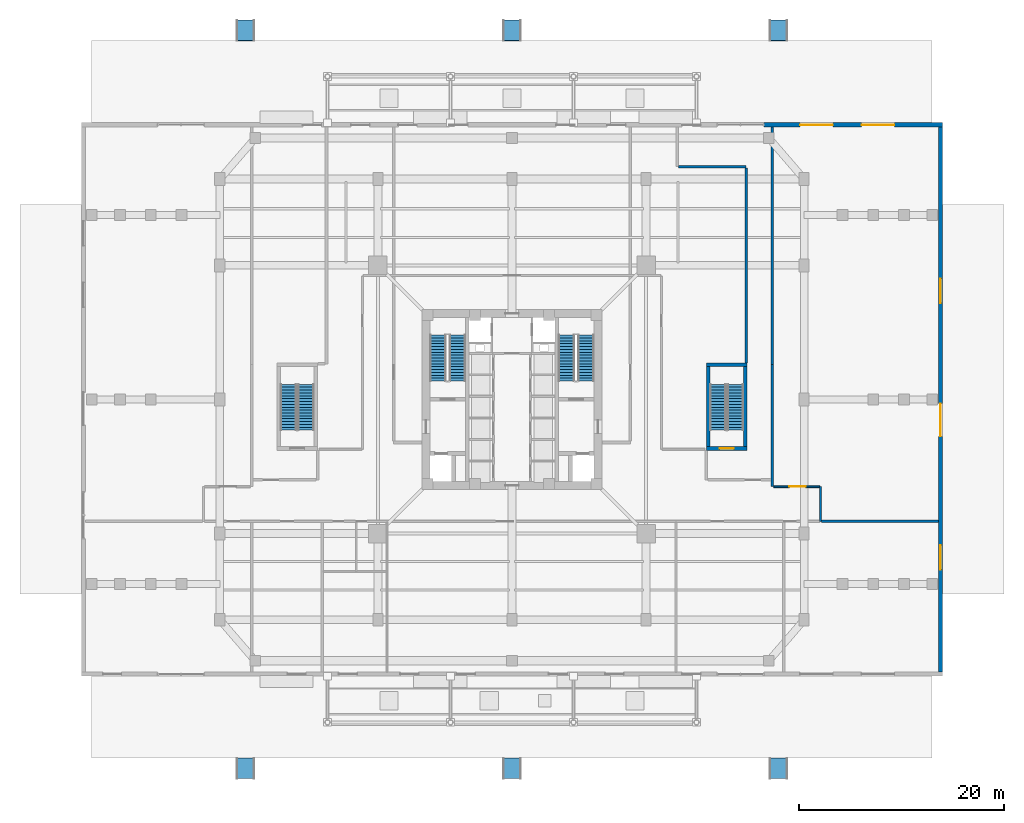
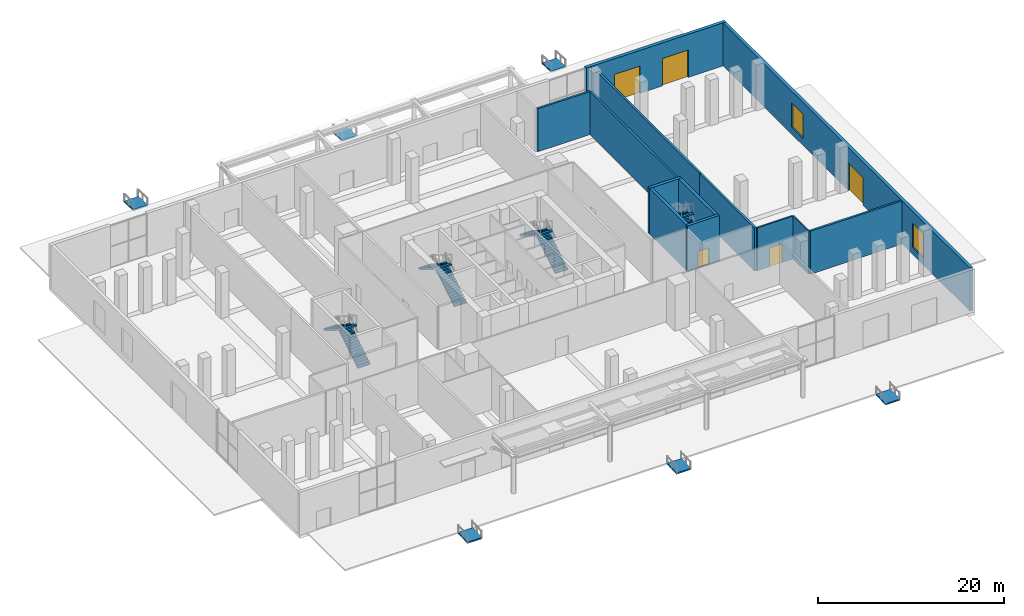
# One storey, part 18 of 25: 13 walls, 8 stair flights, 6 ramp flights, 5 doors, 2 windows, 7 openings, 10 elements without a shape of their own.
"""IFC4 building model written with IfcOpenShell, lengths in metres."""

from ifc_helpers import new_model, si_unit, direction, frame, frame_2d, origin, place, context, subcontext, project, spatial, polyline, rectangle, outline, extrude, source, transform, mapped, material, layer, layer_set, type_object, element, fill, aggregate, save


model = new_model("IFC4")

# Units and contexts
model_context = context("Model", 3, precision=1e-05, world=origin(), true_north=direction((0.0, 1.0)))
body_context = subcontext(model_context, "Body", "Model", "MODEL_VIEW")
ifc_project = project(units=[si_unit("LENGTHUNIT", "METRE"), si_unit("AREAUNIT", "SQUARE_METRE"), si_unit("VOLUMEUNIT", "CUBIC_METRE"), si_unit("PLANEANGLEUNIT", "RADIAN"), si_unit("MASSUNIT", "GRAM", prefix="KILO"), si_unit("THERMODYNAMICTEMPERATUREUNIT", "KELVIN")], contexts=[model_context])

# Site, building, storey
site_placement = place(None, origin())
site = spatial("IfcSite", under=ifc_project, at=site_placement, CompositionType="ELEMENT")
building_placement = place(site_placement, origin())
building = spatial("IfcBuilding", under=site, at=building_placement, Name="Kosmvard Interchange Tower", CompositionType="ELEMENT")
storey_placement = place(building_placement, origin())
storey = spatial("IfcBuildingStorey", under=building, at=storey_placement, Name="L00", CompositionType="ELEMENT", Elevation=0.0)

# Wall, opening, door
ifc_material_1 = material(Name="Fire-rated gypsum partition system")
ifc_layer_1 = layer(ifc_material_1, 0.179931640625, Name="Fire-rated gypsum partition system")
ifc_layer_set_1 = layer_set([ifc_layer_1], Name="Fire-rated gypsum partition system")
wall_type_1 = type_object("IfcWallType", Name="Corridor & Hotel Compartment Partition 180", PredefinedType="PARTITIONING", material=ifc_layer_set_1)
wall_1_placement = place(storey_placement, frame((25.550048828125, -8.510009765625, 0.0), z_axis=(0.0, 0.0, 1.0), x_axis=(1.0, 0.0, 0.0)))
wall_1 = element("IfcWall", 1, at=wall_1_placement, inside=storey, type_object=wall_type_1, Name="L00 Partition W-CNEL", PredefinedType="PARTITIONING", context=body_context, shape_type="SweptSolid", body=[
    extrude(rectangle(XDim=4.449951171875, YDim=0.179931640625, at=frame_2d((2.22509765625, 0.0))), origin(), (0.0, 0.0, 1.0), 5.659912109375),
])
opening_1_placement = place(wall_1_placement, frame((1.5, 0.0, 0.0)))
opening_1 = element("IfcOpeningElement", 2, at=opening_1_placement, cuts=wall_1, Name="Opening L00-D10", PredefinedType="OPENING", context=body_context, shape_type="SweptSolid", body=[
    extrude(rectangle(XDim=1.60009765625, YDim=2.5, at=frame_2d((0.800048828125, 1.25))), frame((0.0, 0.10009765625, 0.0), z_axis=(0.0, -1.0, 0.0), x_axis=(1.0, 0.0, 0.0)), (0.0, 0.0, 1.0), 0.199951171875),
])
ifc_material_2 = material(Name="Anodised aluminium and safety glass", Category="aluminium")
door_type_1 = type_object("IfcDoorType", Name="Concourse Entrance Glazed Door 1600x2500", OperationType="NOTDEFINED", PredefinedType="DOOR", material=ifc_material_2)
shared_shape_1 = source(origin(), body_context, "Body", "SweptSolid", [
    extrude(rectangle(XDim=1.60009765625, YDim=2.5, at=frame_2d((0.800048828125, 1.25))), frame((0.0, 0.02490234375, 0.0), z_axis=(0.0, -1.0, 0.0), x_axis=(1.0, 0.0, 0.0)), (0.0, 0.0, 1.0), 0.050048828125),
])
door_1_placement = place(opening_1_placement, origin())
door_1 = element("IfcDoor", 3, at=door_1_placement, inside=storey, type_object=door_type_1, Name="L00 Interior Door 10", OperationType="SINGLE_SWING_LEFT", OverallHeight=2.5, OverallWidth=1.60009765625, PredefinedType="DOOR", context=body_context, shape_type="MappedRepresentation", body=[
    mapped(shared_shape_1, transform((0.0, 0.0, 0.0), scale=1.0)),
])
fill(opening_1, door_1)

# Walls
wall_2_placement = place(storey_placement, frame((30.090087890625, -11.889892578125, 0.0), z_axis=(0.0, 0.0, 1.0), x_axis=(0.0, 1.0, 0.0)))
element("IfcWall", 4, at=wall_2_placement, inside=storey, type_object=wall_type_1, Name="L00 Partition W-CEE", PredefinedType="PARTITIONING", context=body_context, shape_type="SweptSolid", body=[
    extrude(rectangle(XDim=3.3798828125, YDim=0.179931640625, at=frame_2d((1.68994140625, 0.0))), origin(), (0.0, 0.0, 1.0), 5.659912109375),
])
ifc_material_3 = material(Name="Concrete blockwork masonry", Category="masonry")
ifc_layer_2 = layer(ifc_material_3, 0.25, Name="Concrete blockwork masonry")
ifc_layer_set_2 = layer_set([ifc_layer_2], Name="Concrete blockwork masonry")
wall_type_2 = type_object("IfcWallType", Name="Exit Passage & Firefighting Lobby Wall 250", PredefinedType="PARTITIONING", material=ifc_layer_set_2)
wall_3_placement = place(storey_placement, frame((25.39990234375, -8.510009765625, 0.0), z_axis=(0.0, 0.0, 1.0), x_axis=(0.0, 1.0, 0.0)))
element("IfcWall", 5, at=wall_3_placement, inside=storey, type_object=wall_type_2, Name="L00 Partition W-RES", PredefinedType="PARTITIONING", context=body_context, shape_type="SweptSolid", body=[
    extrude(rectangle(XDim=11.909912109375, YDim=0.25, at=frame_2d((5.955078125, 0.0))), origin(), (0.0, 0.0, 1.0), 5.659912109375),
])
wall_4_placement = place(storey_placement, frame((25.39990234375, 3.39990234375, 0.0), z_axis=(0.0, 0.0, 1.0), x_axis=(0.0, 1.0, 0.0)))
element("IfcWall", 6, at=wall_4_placement, inside=storey, type_object=wall_type_2, Name="L00 Partition W-REN", PredefinedType="PARTITIONING", context=body_context, shape_type="SweptSolid", body=[
    extrude(rectangle(XDim=23.197998046875, YDim=0.25, at=frame_2d((11.59912109375, 0.0))), origin(), (0.0, 0.0, 1.0), 5.659912109375),
])
wall_5_placement = place(storey_placement, frame((22.840087890625, 3.580078125, 0.0), z_axis=(0.0, 0.0, 1.0), x_axis=(0.0, 1.0, 0.0)))
element("IfcWall", 7, at=wall_5_placement, inside=storey, type_object=wall_type_2, Name="L00 Partition EP4E", PredefinedType="PARTITIONING", context=body_context, shape_type="SweptSolid", body=[
    extrude(rectangle(XDim=19.0, YDim=0.25, at=frame_2d((9.5, 0.0))), origin(), (0.0, 0.0, 1.0), 5.659912109375),
])
wall_6_placement = place(storey_placement, frame((16.25, 22.719970703125, 0.0), z_axis=(0.0, 0.0, 1.0), x_axis=(1.0, 0.0, 0.0)))
element("IfcWall", 8, at=wall_6_placement, inside=storey, type_object=wall_type_2, Name="L00 Partition EP4B1", PredefinedType="PARTITIONING", context=body_context, shape_type="SweptSolid", body=[
    extrude(rectangle(XDim=6.590087890625, YDim=0.25, at=frame_2d((3.294921875, 0.0))), origin(), (0.0, 0.0, 1.0), 5.659912109375),
])
wall_7_placement = place(storey_placement, frame((30.179931640625, -11.889892578125, 0.0), z_axis=(0.0, 0.0, 1.0), x_axis=(1.0, 0.0, 0.0)))
element("IfcWall", 9, at=wall_7_placement, inside=storey, type_object=wall_type_2, Name="L00 Partition W-RET", PredefinedType="PARTITIONING", context=body_context, shape_type="SweptSolid", body=[
    extrude(rectangle(XDim=11.41796875, YDim=0.25, at=frame_2d((5.708984375, 0.0))), origin(), (0.0, 0.0, 1.0), 5.659912109375),
])

# Wall, openings, doors
ifc_material_4 = material(Name="Precast concrete C45/55", Category="concrete")
ifc_layer_3 = layer(ifc_material_4, 0.39990234375, Name="Precast concrete C45/55")
ifc_layer_set_3 = layer_set([ifc_layer_3], Name="Precast concrete C45/55")
wall_type_3 = type_object("IfcWallType", Name="Podium Precast Stone Pier Wall 400 C45/55", PredefinedType="STANDARD", material=ifc_layer_set_3)
wall_8_placement = place(storey_placement, frame((24.60009765625, 26.800048828125, 0.0), z_axis=(0.0, 0.0, 1.0), x_axis=(1.0, 0.0, 0.0)))
wall_8 = element("IfcWall", 10, at=wall_8_placement, inside=storey, type_object=wall_type_3, Name="L00 Exterior Precast Wall EW-N3", PredefinedType="STANDARD", context=body_context, shape_type="SweptSolid", body=[
    extrude(rectangle(XDim=17.39990234375, YDim=0.39990234375, at=frame_2d((8.699951171875, 0.0))), origin(), (0.0, 0.0, 1.0), 5.659912109375),
])
opening_2_placement = place(wall_8_placement, frame((3.5, 0.0, 0.0)))
opening_2 = element("IfcOpeningElement", 11, at=opening_2_placement, cuts=wall_8, Name="Opening GT-03", PredefinedType="OPENING", context=body_context, shape_type="SweptSolid", body=[
    extrude(rectangle(XDim=3.199951171875, YDim=3.60009765625, at=frame_2d((1.60009765625, 1.800048828125))), frame((0.0, 0.2099609375, 0.0), z_axis=(0.0, -1.0, 0.0), x_axis=(1.0, 0.0, 0.0)), (0.0, 0.0, 1.0), 0.419921875),
])
opening_3_placement = place(wall_8_placement, frame((9.5, 0.0, 0.0)))
opening_3 = element("IfcOpeningElement", 12, at=opening_3_placement, cuts=wall_8, Name="Opening GT-04", PredefinedType="OPENING", context=body_context, shape_type="SweptSolid", body=[
    extrude(rectangle(XDim=3.199951171875, YDim=3.60009765625, at=frame_2d((1.60009765625, 1.800048828125))), frame((0.0, 0.2099609375, 0.0), z_axis=(0.0, -1.0, 0.0), x_axis=(1.0, 0.0, 0.0)), (0.0, 0.0, 1.0), 0.419921875),
])
ifc_material_5 = material(Name="Galvanised insulated steel gate", Category="steel")
door_type_2 = type_object("IfcDoorType", Name="Loading & Plant Bay Service Gate 3200x3600", OperationType="NOTDEFINED", PredefinedType="GATE", material=ifc_material_5)
shared_shape_2 = source(origin(), body_context, "Body", "SweptSolid", [
    extrude(rectangle(XDim=3.199951171875, YDim=3.60009765625, at=frame_2d((1.60009765625, 1.800048828125))), frame((0.0, 0.02490234375, 0.0), z_axis=(0.0, -1.0, 0.0), x_axis=(1.0, 0.0, 0.0)), (0.0, 0.0, 1.0), 0.050048828125),
])
door_2_placement = place(opening_2_placement, origin())
door_2 = element("IfcDoor", 13, at=door_2_placement, inside=storey, type_object=door_type_2, Name="L00 Service Bay Gate 3", OperationType="SINGLE_SWING_LEFT", OverallHeight=3.60009765625, OverallWidth=3.199951171875, PredefinedType="GATE", context=body_context, shape_type="MappedRepresentation", body=[
    mapped(shared_shape_2, transform((0.0, 0.0, 0.0), scale=1.0)),
])
fill(opening_2, door_2)
door_3_placement = place(opening_3_placement, origin())
door_3 = element("IfcDoor", 14, at=door_3_placement, inside=storey, type_object=door_type_2, Name="L00 Service Bay Gate 4", OperationType="SINGLE_SWING_RIGHT", OverallHeight=3.60009765625, OverallWidth=3.199951171875, PredefinedType="GATE", context=body_context, shape_type="MappedRepresentation", body=[
    mapped(shared_shape_2, transform((0.0, 0.0, 0.0), scale=1.0)),
])
fill(opening_3, door_3)

# Wall, openings, windows, door
wall_9_placement = place(storey_placement, frame((41.800048828125, -26.60009765625, 0.0), z_axis=(0.0, 0.0, 1.0), x_axis=(0.0, 1.0, 0.0)))
wall_9 = element("IfcWall", 15, at=wall_9_placement, inside=storey, type_object=wall_type_3, Name="L00 Exterior Precast Wall EW-E", PredefinedType="STANDARD", context=body_context, shape_type="SweptSolid", body=[
    extrude(rectangle(XDim=53.2001953125, YDim=0.39990234375, at=frame_2d((26.60009765625, 0.0))), origin(), (0.0, 0.0, 1.0), 5.659912109375),
])
opening_4_placement = place(wall_9_placement, frame((10.0, 0.0, 0.89990234375)))
opening_4 = element("IfcOpeningElement", 16, at=opening_4_placement, cuts=wall_9, Name="Opening L00-AW3", PredefinedType="OPENING", context=body_context, shape_type="SweptSolid", body=[
    extrude(rectangle(XDim=2.39990234375, YDim=3.199951171875, at=frame_2d((1.199951171875, 1.60009765625))), frame((0.0, 0.2099609375, 0.0), z_axis=(0.0, -1.0, 0.0), x_axis=(1.0, 0.0, 0.0)), (0.0, 0.0, 1.0), 0.419921875),
])
opening_5_placement = place(wall_9_placement, frame((36.0, 0.0, 0.89990234375)))
opening_5 = element("IfcOpeningElement", 17, at=opening_5_placement, cuts=wall_9, Name="Opening L00-AW4", PredefinedType="OPENING", context=body_context, shape_type="SweptSolid", body=[
    extrude(rectangle(XDim=2.39990234375, YDim=3.199951171875, at=frame_2d((1.199951171875, 1.60009765625))), frame((0.0, 0.2099609375, 0.0), z_axis=(0.0, -1.0, 0.0), x_axis=(1.0, 0.0, 0.0)), (0.0, 0.0, 1.0), 0.419921875),
])
opening_6_placement = place(wall_9_placement, frame((23.0, 0.0, 0.0)))
opening_6 = element("IfcOpeningElement", 18, at=opening_6_placement, cuts=wall_9, Name="Opening GT-05", PredefinedType="OPENING", context=body_context, shape_type="SweptSolid", body=[
    extrude(rectangle(XDim=3.199951171875, YDim=3.60009765625, at=frame_2d((1.60009765625, 1.800048828125))), frame((0.0, 0.2099609375, 0.0), z_axis=(0.0, -1.0, 0.0), x_axis=(1.0, 0.0, 0.0)), (0.0, 0.0, 1.0), 0.419921875),
])
ifc_material_6 = material(Name="Low-E solar-control double glazing", Category="glass")
window_type = type_object("IfcWindowType", Name="Podium Arcade Punched Window 2400x3200", PartitioningType="SINGLE_PANEL", PredefinedType="WINDOW", material=ifc_material_6)
shared_shape_3 = source(origin(), body_context, "Body", "SweptSolid", [
    extrude(rectangle(XDim=2.39990234375, YDim=3.199951171875, at=frame_2d((1.199951171875, 1.60009765625))), frame((0.0, 0.030029296875, 0.0), z_axis=(0.0, -1.0, 0.0), x_axis=(1.0, 0.0, 0.0)), (0.0, 0.0, 1.0), 0.06005859375),
])
window_1_placement = place(opening_4_placement, origin())
window_1 = element("IfcWindow", 19, at=window_1_placement, inside=storey, type_object=window_type, Name="L00 Concourse Arcade Window 3", OverallHeight=3.199951171875, OverallWidth=2.39990234375, PartitioningType="SINGLE_PANEL", PredefinedType="WINDOW", context=body_context, shape_type="MappedRepresentation", body=[
    mapped(shared_shape_3, transform((0.0, 0.0, 0.0), scale=1.0)),
])
fill(opening_4, window_1)
window_2_placement = place(opening_5_placement, origin())
window_2 = element("IfcWindow", 20, at=window_2_placement, inside=storey, type_object=window_type, Name="L00 Concourse Arcade Window 4", OverallHeight=3.199951171875, OverallWidth=2.39990234375, PartitioningType="SINGLE_PANEL", PredefinedType="WINDOW", context=body_context, shape_type="MappedRepresentation", body=[
    mapped(shared_shape_3, transform((0.0, 0.0, 0.0), scale=1.0)),
])
fill(opening_5, window_2)
door_4_placement = place(opening_6_placement, frame((3.199951171875, 0.0, 0.0), z_axis=(0.0, 0.0, 1.0), x_axis=(-1.0, 0.0, 0.0)))
door_4 = element("IfcDoor", 21, at=door_4_placement, inside=storey, type_object=door_type_2, Name="L00 Service Bay Gate 5", OperationType="SINGLE_SWING_LEFT", OverallHeight=3.60009765625, OverallWidth=3.199951171875, PredefinedType="GATE", context=body_context, shape_type="MappedRepresentation", body=[
    mapped(shared_shape_2, transform((0.0, 0.0, 0.0), scale=1.0)),
])
fill(opening_6, door_4)

# Wall, opening, door
ifc_material_7 = material(Name="Concrete C60/75", Category="concrete")
ifc_layer_4 = layer(ifc_material_7, 0.360107421875, Name="Concrete C60/75")
ifc_layer_set_4 = layer_set([ifc_layer_4], Name="Concrete C60/75")
wall_type_4 = type_object("IfcWallType", Name="Stair & Lift Shaft Shear Wall 360 C60/75", PredefinedType="SHEAR", material=ifc_layer_set_4)
wall_10_placement = place(storey_placement, frame((18.9599609375, -4.780029296875, 0.0), z_axis=(0.0, 0.0, 1.0), x_axis=(1.0, 0.0, 0.0)))
wall_10 = element("IfcWall", 22, at=wall_10_placement, inside=storey, type_object=wall_type_4, Name="L00 Podium Stair Shear Wall ST4S", PredefinedType="SHEAR", context=body_context, shape_type="SweptSolid", body=[
    extrude(rectangle(XDim=3.97998046875, YDim=0.360107421875, at=frame_2d((1.989990234375, 0.0))), origin(), (0.0, 0.0, 1.0), 6.0),
])
opening_7_placement = place(wall_10_placement, frame((1.2900390625, 0.0, 0.0)))
opening_7 = element("IfcOpeningElement", 23, at=opening_7_placement, cuts=wall_10, Name="Opening L00-SD4", PredefinedType="OPENING", context=body_context, shape_type="SweptSolid", body=[
    extrude(rectangle(XDim=1.39990234375, YDim=2.199951171875, at=frame_2d((0.699951171875, 1.10009765625))), frame((0.0, 0.18994140625, 0.0), z_axis=(0.0, -1.0, 0.0), x_axis=(1.0, 0.0, 0.0)), (0.0, 0.0, 1.0), 0.380126953125),
])
ifc_material_8 = material(Name="Painted fire-rated steel leaf", Category="steel")
door_type_3 = type_object("IfcDoorType", Name="Protected Stair Door 1400x2200 FD60S", OperationType="NOTDEFINED", PredefinedType="DOOR", material=ifc_material_8)
shared_shape_4 = source(origin(), body_context, "Body", "SweptSolid", [
    extrude(rectangle(XDim=1.39990234375, YDim=2.199951171875, at=frame_2d((0.699951171875, 1.10009765625))), frame((0.0, 0.02490234375, 0.0), z_axis=(0.0, -1.0, 0.0), x_axis=(1.0, 0.0, 0.0)), (0.0, 0.0, 1.0), 0.050048828125),
])
door_5_placement = place(opening_7_placement, frame((1.39990234375, 0.0, 0.0), z_axis=(0.0, 0.0, 1.0), x_axis=(-1.0, 0.0, 0.0)))
door_5 = element("IfcDoor", 24, at=door_5_placement, inside=storey, type_object=door_type_3, Name="L00 Podium Stair ST4 Door", OperationType="SINGLE_SWING_RIGHT", OverallHeight=2.199951171875, OverallWidth=1.39990234375, PredefinedType="DOOR", context=body_context, shape_type="MappedRepresentation", body=[
    mapped(shared_shape_4, transform((0.0, 0.0, 0.0), scale=1.0)),
])
fill(opening_7, door_5)

# Walls
wall_11_placement = place(storey_placement, frame((18.9599609375, 3.3798828125, 0.0), z_axis=(0.0, 0.0, 1.0), x_axis=(1.0, 0.0, 0.0)))
element("IfcWall", 25, at=wall_11_placement, inside=storey, type_object=wall_type_4, Name="L00 Podium Stair Shear Wall ST4N", PredefinedType="SHEAR", context=body_context, shape_type="SweptSolid", body=[
    extrude(rectangle(XDim=3.97998046875, YDim=0.360107421875, at=frame_2d((1.989990234375, 0.0))), origin(), (0.0, 0.0, 1.0), 6.0),
])
for number, where, z_axis, x_axis, name in (
    (26, (19.139892578125, -4.60009765625, 0.0), (0.0, 0.0, 1.0), (0.0, 1.0, 0.0), "L00 Podium Stair Shear Wall ST4W"),
    (27, (22.760009765625, -4.60009765625, 0.0), (0.0, 0.0, 1.0), (0.0, 1.0, 0.0), "L00 Podium Stair Shear Wall ST4E"),
):
    element("IfcWall", number, at=place(storey_placement, frame(where, z_axis=z_axis, x_axis=x_axis)), inside=storey, type_object=wall_type_4, Name=name, PredefinedType="SHEAR", context=body_context, shape_type="SweptSolid", body=[
        extrude(rectangle(XDim=7.800048828125, YDim=0.360107421875, at=frame_2d((3.89990234375, 0.0))), origin(), (0.0, 0.0, 1.0), 6.0),
    ])

# Stair, stair flights
ifc_material_9 = material(Name="Concrete C50/60", Category="concrete")
stair_type = type_object("IfcStairType", Name="Dog-Leg Core Exit Stair H6000 C50/60", PredefinedType="HALF_TURN_STAIR", material=ifc_material_9)
stair_1_placement = place(storey_placement, origin())
stair_1 = element("IfcStair", 28, at=stair_1_placement, inside=storey, type_object=stair_type, Name="L00 Protected Exit Stair ST-1", PredefinedType="HALF_TURN_STAIR")
stair_flight_type = type_object("IfcStairFlightType", Name="Core Stair Flight W1550 H6000 C50/60", PredefinedType="STRAIGHT", material=ifc_material_9)
shared_shape_5 = source(origin(), body_context, "Body", "SweptSolid", [
    extrude(outline(polyline([(0.0, 0.0), (0.0, 0.176513671875), (0.280029296875, 0.176513671875), (0.280029296875, 0.35302734375), (0.56005859375, 0.35302734375), (0.56005859375, 0.529296875), (0.840087890625, 0.529296875), (0.840087890625, 0.705810546875), (1.1201171875, 0.705810546875), (1.1201171875, 0.88232421875), (1.39990234375, 0.88232421875), (1.39990234375, 1.058837890625), (1.679931640625, 1.058837890625), (1.679931640625, 1.2353515625), (1.9599609375, 1.2353515625), (1.9599609375, 1.411865234375), (2.239990234375, 1.411865234375), (2.239990234375, 1.588134765625), (2.52001953125, 1.588134765625), (2.52001953125, 1.7646484375), (2.800048828125, 1.7646484375), (2.800048828125, 1.941162109375), (3.080078125, 1.941162109375), (3.080078125, 2.11767578125), (3.360107421875, 2.11767578125), (3.360107421875, 2.294189453125), (3.639892578125, 2.294189453125), (3.639892578125, 2.470703125), (3.919921875, 2.470703125), (3.919921875, 2.64697265625), (4.199951171875, 2.64697265625), (4.199951171875, 2.823486328125), (4.47998046875, 2.823486328125), (4.47998046875, 3.0), (4.47998046875, 2.634521484375), (0.2998046875, 0.0), (0.0, 0.0)])), frame((0.0, 0.77490234375, 0.0), z_axis=(0.0, -1.0, 0.0), x_axis=(1.0, 0.0, 0.0)), (0.0, 0.0, 1.0), 1.550048828125),
])
stair_flight_1_placement = place(storey_placement, frame((-5.31494140625, 1.800048828125, 0.0), z_axis=(0.0, 0.0, 1.0), x_axis=(0.0, 1.0, 0.0)))
stair_flight_1 = element("IfcStairFlight", 29, at=stair_flight_1_placement, type_object=stair_flight_type, Name="ST-1 flight 1", NumberOfRisers=17, NumberOfTreads=16, PredefinedType="STRAIGHT", RiserHeight=0.176470588, TreadLength=0.28, context=body_context, shape_type="MappedRepresentation", body=[
    mapped(shared_shape_5, transform((0.0, 0.0, 0.0), scale=1.0)),
])
stair_flight_2_placement = place(storey_placement, frame((-7.22509765625, 6.280029296875, 3.0), z_axis=(0.0, 0.0, 1.0), x_axis=(0.0, -1.0, 0.0)))
stair_flight_2 = element("IfcStairFlight", 30, at=stair_flight_2_placement, type_object=stair_flight_type, Name="ST-1 flight 2", NumberOfRisers=17, NumberOfTreads=16, PredefinedType="STRAIGHT", RiserHeight=0.176470588, TreadLength=0.28, context=body_context, shape_type="MappedRepresentation", body=[
    mapped(shared_shape_5, transform((0.0, 0.0, 0.0), scale=1.0)),
])
aggregate(stair_1, [stair_flight_1, stair_flight_2])

stair_2_placement = place(storey_placement, origin())
stair_2 = element("IfcStair", 31, at=stair_2_placement, inside=storey, type_object=stair_type, Name="L00 Protected Exit Stair ST-2", PredefinedType="HALF_TURN_STAIR")
stair_flight_3_placement = place(storey_placement, frame((7.22509765625, 1.800048828125, 0.0), z_axis=(0.0, 0.0, 1.0), x_axis=(0.0, 1.0, 0.0)))
stair_flight_3 = element("IfcStairFlight", 32, at=stair_flight_3_placement, type_object=stair_flight_type, Name="ST-2 flight 1", NumberOfRisers=17, NumberOfTreads=16, PredefinedType="STRAIGHT", RiserHeight=0.176470588, TreadLength=0.28, context=body_context, shape_type="MappedRepresentation", body=[
    mapped(shared_shape_5, transform((0.0, 0.0, 0.0), scale=1.0)),
])
stair_flight_4_placement = place(storey_placement, frame((5.31494140625, 6.280029296875, 3.0), z_axis=(0.0, 0.0, 1.0), x_axis=(0.0, -1.0, 0.0)))
stair_flight_4 = element("IfcStairFlight", 33, at=stair_flight_4_placement, type_object=stair_flight_type, Name="ST-2 flight 2", NumberOfRisers=17, NumberOfTreads=16, PredefinedType="STRAIGHT", RiserHeight=0.176470588, TreadLength=0.28, context=body_context, shape_type="MappedRepresentation", body=[
    mapped(shared_shape_5, transform((0.0, 0.0, 0.0), scale=1.0)),
])
aggregate(stair_2, [stair_flight_3, stair_flight_4])

stair_3_placement = place(storey_placement, origin())
stair_3 = element("IfcStair", 34, at=stair_3_placement, inside=storey, type_object=stair_type, Name="L00 Podium Concourse Stair ST-3", PredefinedType="HALF_TURN_STAIR")
stair_flight_5_placement = place(storey_placement, frame((-20.094970703125, -3.0, 0.0), z_axis=(0.0, 0.0, 1.0), x_axis=(0.0, 1.0, 0.0)))
stair_flight_5 = element("IfcStairFlight", 35, at=stair_flight_5_placement, type_object=stair_flight_type, Name="ST-3 flight 1", NumberOfRisers=17, NumberOfTreads=16, PredefinedType="STRAIGHT", RiserHeight=0.176470588, TreadLength=0.28, context=body_context, shape_type="MappedRepresentation", body=[
    mapped(shared_shape_5, transform((0.0, 0.0, 0.0), scale=1.0)),
])
stair_flight_6_placement = place(storey_placement, frame((-21.804931640625, 1.47998046875, 3.0), z_axis=(0.0, 0.0, 1.0), x_axis=(0.0, -1.0, 0.0)))
stair_flight_6 = element("IfcStairFlight", 36, at=stair_flight_6_placement, type_object=stair_flight_type, Name="ST-3 flight 2", NumberOfRisers=17, NumberOfTreads=16, PredefinedType="STRAIGHT", RiserHeight=0.176470588, TreadLength=0.28, context=body_context, shape_type="MappedRepresentation", body=[
    mapped(shared_shape_5, transform((0.0, 0.0, 0.0), scale=1.0)),
])
aggregate(stair_3, [stair_flight_5, stair_flight_6])

stair_4_placement = place(storey_placement, origin())
stair_4 = element("IfcStair", 37, at=stair_4_placement, inside=storey, type_object=stair_type, Name="L00 Podium Concourse Stair ST-4", PredefinedType="HALF_TURN_STAIR")
stair_flight_7_placement = place(storey_placement, frame((21.804931640625, -3.0, 0.0), z_axis=(0.0, 0.0, 1.0), x_axis=(0.0, 1.0, 0.0)))
stair_flight_7 = element("IfcStairFlight", 38, at=stair_flight_7_placement, type_object=stair_flight_type, Name="ST-4 flight 1", NumberOfRisers=17, NumberOfTreads=16, PredefinedType="STRAIGHT", RiserHeight=0.176470588, TreadLength=0.28, context=body_context, shape_type="MappedRepresentation", body=[
    mapped(shared_shape_5, transform((0.0, 0.0, 0.0), scale=1.0)),
])
stair_flight_8_placement = place(storey_placement, frame((20.094970703125, 1.47998046875, 3.0), z_axis=(0.0, 0.0, 1.0), x_axis=(0.0, -1.0, 0.0)))
stair_flight_8 = element("IfcStairFlight", 39, at=stair_flight_8_placement, type_object=stair_flight_type, Name="ST-4 flight 2", NumberOfRisers=17, NumberOfTreads=16, PredefinedType="STRAIGHT", RiserHeight=0.176470588, TreadLength=0.28, context=body_context, shape_type="MappedRepresentation", body=[
    mapped(shared_shape_5, transform((0.0, 0.0, 0.0), scale=1.0)),
])
aggregate(stair_4, [stair_flight_7, stair_flight_8])

# Ramp, ramp flight
ifc_material_10 = material(Name="Concrete C45/55", Category="concrete")
ramp_type = type_object("IfcRampType", Name="Concourse Accessible Pedestrian Ramp 1:15", PredefinedType="STRAIGHT_RUN_RAMP", material=ifc_material_10)
ramp_1_placement = place(storey_placement, origin())
ramp_1 = element("IfcRamp", 40, at=ramp_1_placement, inside=storey, type_object=ramp_type, Name="L00 Accessible Plaza Approach Ramp 01", PredefinedType="STRAIGHT_RUN_RAMP")
ifc_layer_5 = layer(ifc_material_10, 0.18994140625, Name="Concrete C45/55")
ifc_layer_set_5 = layer_set([ifc_layer_5], Name="Concrete C45/55")
ramp_flight_type = type_object("IfcRampFlightType", Name="Accessible Ramp Flight Slab 190 C45/55", PredefinedType="STRAIGHT", material=ifc_layer_set_5)
ramp_flight_1_placement = place(storey_placement, frame((-26.89990234375, -37.0, -0.10009765625), z_axis=(0.0, -0.049986262356, 0.99874990542), x_axis=(1.0, 0.0, 0.0)))
ramp_flight_1 = element("IfcRampFlight", 41, at=ramp_flight_1_placement, type_object=ramp_flight_type, Name="L00 Accessible Ramp Flight 01", PredefinedType="STRAIGHT", context=body_context, shape_type="SweptSolid", body=[
    extrude(outline(polyline([(0.0, 0.0), (1.7998046875, 0.0), (1.7998046875, 2.0025033185457506), (0.0, 2.0025033185457506), (0.0, 0.0)])), origin(), (0.0, 0.0, -1.0), 0.18994140625),
])
aggregate(ramp_1, [ramp_flight_1])

ramp_2_placement = place(storey_placement, origin())
ramp_2 = element("IfcRamp", 42, at=ramp_2_placement, inside=storey, type_object=ramp_type, Name="L00 Accessible Plaza Approach Ramp 02", PredefinedType="STRAIGHT_RUN_RAMP")
ramp_flight_2_placement = place(storey_placement, frame((-0.89990234375, -37.0, -0.10009765625), z_axis=(0.0, -0.049986262356, 0.99874990542), x_axis=(1.0, 0.0, 0.0)))
ramp_flight_2 = element("IfcRampFlight", 43, at=ramp_flight_2_placement, type_object=ramp_flight_type, Name="L00 Accessible Ramp Flight 02", PredefinedType="STRAIGHT", context=body_context, shape_type="SweptSolid", body=[
    extrude(outline(polyline([(0.0, 0.0), (1.7998046875, 0.0), (1.7998046875, 2.0025033185457506), (0.0, 2.0025033185457506), (0.0, 0.0)])), origin(), (0.0, 0.0, -1.0), 0.18994140625),
])
aggregate(ramp_2, [ramp_flight_2])

ramp_3_placement = place(storey_placement, origin())
ramp_3 = element("IfcRamp", 44, at=ramp_3_placement, inside=storey, type_object=ramp_type, Name="L00 Accessible Plaza Approach Ramp 03", PredefinedType="STRAIGHT_RUN_RAMP")
ramp_flight_3_placement = place(storey_placement, frame((25.10009765625, -37.0, -0.10009765625), z_axis=(0.0, -0.049986262356, 0.99874990542), x_axis=(1.0, 0.0, 0.0)))
ramp_flight_3 = element("IfcRampFlight", 45, at=ramp_flight_3_placement, type_object=ramp_flight_type, Name="L00 Accessible Ramp Flight 03", PredefinedType="STRAIGHT", context=body_context, shape_type="SweptSolid", body=[
    extrude(outline(polyline([(0.0, 0.0), (1.7998046875, 0.0), (1.7998046875, 2.0025033185457506), (0.0, 2.0025033185457506), (0.0, 0.0)])), origin(), (0.0, 0.0, -1.0), 0.18994140625),
])
aggregate(ramp_3, [ramp_flight_3])

ramp_4_placement = place(storey_placement, origin())
ramp_4 = element("IfcRamp", 46, at=ramp_4_placement, inside=storey, type_object=ramp_type, Name="L00 Accessible Plaza Approach Ramp 04", PredefinedType="STRAIGHT_RUN_RAMP")
ramp_flight_4_placement = place(storey_placement, frame((-26.89990234375, 35.0, 0.0), z_axis=(0.0, 0.049986262356, 0.99874990542), x_axis=(1.0, 0.0, 0.0)))
ramp_flight_4 = element("IfcRampFlight", 47, at=ramp_flight_4_placement, type_object=ramp_flight_type, Name="L00 Accessible Ramp Flight 04", PredefinedType="STRAIGHT", context=body_context, shape_type="SweptSolid", body=[
    extrude(outline(polyline([(0.0, 0.0), (1.7998046875, 0.0), (1.7998046875, 2.0025033185457506), (0.0, 2.0025033185457506), (0.0, 0.0)])), origin(), (0.0, 0.0, -1.0), 0.18994140625),
])
aggregate(ramp_4, [ramp_flight_4])

ramp_5_placement = place(storey_placement, origin())
ramp_5 = element("IfcRamp", 48, at=ramp_5_placement, inside=storey, type_object=ramp_type, Name="L00 Accessible Plaza Approach Ramp 05", PredefinedType="STRAIGHT_RUN_RAMP")
ramp_flight_5_placement = place(storey_placement, frame((-0.89990234375, 35.0, 0.0), z_axis=(0.0, 0.049986262356, 0.99874990542), x_axis=(1.0, 0.0, 0.0)))
ramp_flight_5 = element("IfcRampFlight", 49, at=ramp_flight_5_placement, type_object=ramp_flight_type, Name="L00 Accessible Ramp Flight 05", PredefinedType="STRAIGHT", context=body_context, shape_type="SweptSolid", body=[
    extrude(outline(polyline([(0.0, 0.0), (1.7998046875, 0.0), (1.7998046875, 2.0025033185457506), (0.0, 2.0025033185457506), (0.0, 0.0)])), origin(), (0.0, 0.0, -1.0), 0.18994140625),
])
aggregate(ramp_5, [ramp_flight_5])

ramp_6_placement = place(storey_placement, origin())
ramp_6 = element("IfcRamp", 50, at=ramp_6_placement, inside=storey, type_object=ramp_type, Name="L00 Accessible Plaza Approach Ramp 06", PredefinedType="STRAIGHT_RUN_RAMP")
ramp_flight_6_placement = place(storey_placement, frame((25.10009765625, 35.0, 0.0), z_axis=(0.0, 0.049986262356, 0.99874990542), x_axis=(1.0, 0.0, 0.0)))
ramp_flight_6 = element("IfcRampFlight", 51, at=ramp_flight_6_placement, type_object=ramp_flight_type, Name="L00 Accessible Ramp Flight 06", PredefinedType="STRAIGHT", context=body_context, shape_type="SweptSolid", body=[
    extrude(outline(polyline([(0.0, 0.0), (1.7998046875, 0.0), (1.7998046875, 2.0025033185457506), (0.0, 2.0025033185457506), (0.0, 0.0)])), origin(), (0.0, 0.0, -1.0), 0.18994140625),
])
aggregate(ramp_6, [ramp_flight_6])

save(model, "model.ifc")
